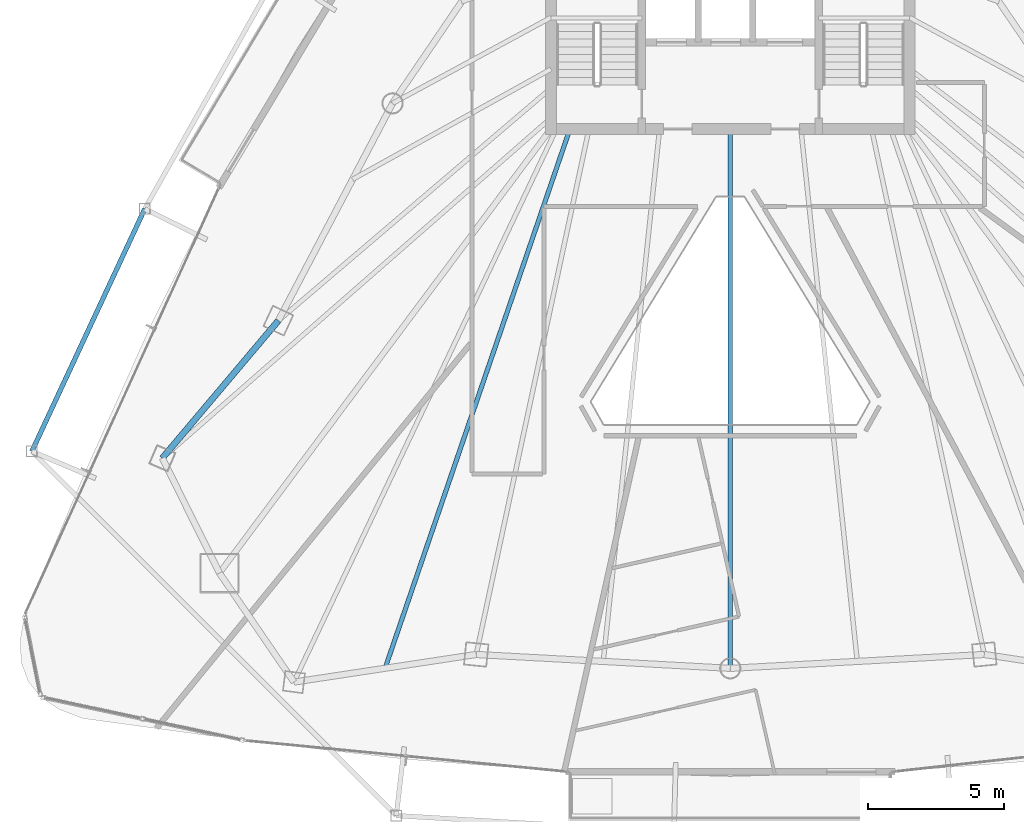
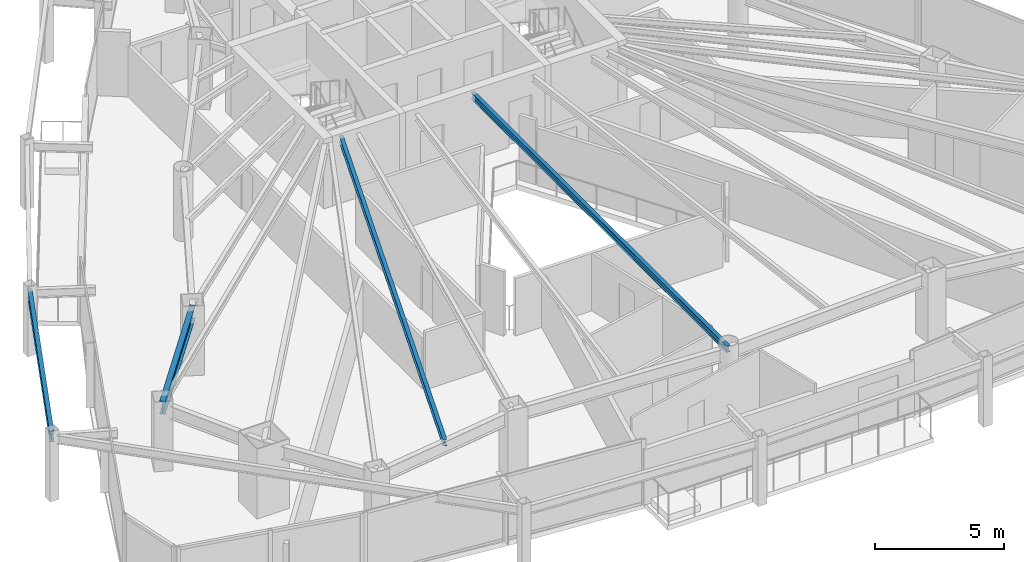
# One storey, part 9 of 33: 4 beams.
"""IFC4 building model written with IfcOpenShell, lengths in metres."""

from ifc_helpers import new_model, si_unit, direction, frame, origin, origin_2d, place, context, subcontext, project, spatial, i_section, extrude, material, material_profile, profile_set, type_object, element, save


model = new_model("IFC4")

# Units and contexts
model_context = context("Model", 3, precision=1e-05, world=origin(), true_north=direction((0.0, 1.0)))
body_context = subcontext(model_context, "Body", "Model", "MODEL_VIEW")
ifc_project = project(units=[si_unit("LENGTHUNIT", "METRE"), si_unit("AREAUNIT", "SQUARE_METRE"), si_unit("VOLUMEUNIT", "CUBIC_METRE"), si_unit("PLANEANGLEUNIT", "RADIAN"), si_unit("MASSUNIT", "GRAM", prefix="KILO")], contexts=[model_context])

# Site, building, storey
site_placement = place(None, origin())
site = spatial("IfcSite", under=ifc_project, at=site_placement, CompositionType="ELEMENT")
building_placement = place(site_placement, origin())
building = spatial("IfcBuilding", under=site, at=building_placement, Name="Orvanel Arch Residences", CompositionType="ELEMENT")
storey_placement = place(building_placement, frame((0.0, 0.0, 116.60009765625)))
storey = spatial("IfcBuildingStorey", under=building, at=storey_placement, Name="L32", CompositionType="ELEMENT", Elevation=116.60009765625)

# Beams
ifc_material = material(Name="Structural steel AS/NZS 3679.1 Grade 300 (300 MPa)", Category="steel")
ifc_material_profile_1 = material_profile(ifc_material, i_section(OverallWidth=0.1650390625, OverallDepth=0.303955078125, WebThickness=0.006103515625, FlangeThickness=0.01025390625, at=origin_2d()), Name="310UB40.4")
ifc_profile_set_1 = profile_set([ifc_material_profile_1], Name="Structural steel AS/NZS 3679.1 Grade 300 (300 MPa)")
beam_type_1 = type_object("IfcBeamType", Name="BJ-310UB", PredefinedType="JOIST", material=ifc_profile_set_1)
beam_1_placement = place(storey_placement, frame((33.0, 26.699951171875, 2.907958984375), z_axis=(0.0, -1.0, 0.0), x_axis=(1.0, 0.0, 0.0)))
element("IfcBeam", 1, at=beam_1_placement, inside=storey, type_object=beam_type_1, Name="L32 SSW Wing Floor Joist", PredefinedType="JOIST", context=body_context, shape_type="SweptSolid", body=[
    extrude(i_section(OverallWidth=0.1650390625, OverallDepth=0.303955078125, WebThickness=0.006103515625, FlangeThickness=0.01025390625, at=origin_2d()), origin(), (0.0, 0.0, 1.0), 19.85595703125),
])
beam_2_placement = place(storey_placement, frame((27.10009765625, 26.699951171875, 2.907958984375), z_axis=(-0.324257108963, -0.945968988544, 0.0), x_axis=(0.945968988544, -0.324257108963, 0.0)))
element("IfcBeam", 2, at=beam_2_placement, inside=storey, type_object=beam_type_1, Name="L32 JADD1 Wing Floor Joist", PredefinedType="JOIST", context=body_context, shape_type="SweptSolid", body=[
    extrude(i_section(OverallWidth=0.1650390625, OverallDepth=0.303955078125, WebThickness=0.006103515625, FlangeThickness=0.01025390625, at=origin_2d()), origin(), (0.0, 0.0, 1.0), 20.987060546875),
])
ifc_material_profile_2 = material_profile(ifc_material, i_section(OverallWidth=0.177978515625, OverallDepth=0.406005859375, WebThickness=0.0078125, FlangeThickness=0.0126953125, at=origin_2d()), Name="410UB59.7")
ifc_profile_set_2 = profile_set([ifc_material_profile_2], Name="Structural steel AS/NZS 3679.1 Grade 300 (300 MPa)")
beam_type_2 = type_object("IfcBeamType", Name="OB-410UB-EXT", PredefinedType="SPANDREL", material=ifc_profile_set_2)
beam_3_placement = place(storey_placement, frame((11.449951171875, 23.757080078125, 2.85693359375), z_axis=(-0.422138837751, -0.906531191776, 0.0), x_axis=(0.906531191776, -0.422138837751, 0.0)))
element("IfcBeam", 3, at=beam_3_placement, inside=storey, type_object=beam_type_2, Name="L32 Outer Perimeter Floor Ring Beam 03", PredefinedType="SPANDREL", context=body_context, shape_type="SweptSolid", body=[
    extrude(i_section(OverallWidth=0.177978515625, OverallDepth=0.406005859375, WebThickness=0.0078125, FlangeThickness=0.0126953125, at=origin_2d()), origin(), (0.0, 0.0, 1.0), 9.847412109375),
])
ifc_material_profile_3 = material_profile(ifc_material, i_section(OverallWidth=0.22900390625, OverallDepth=0.612060546875, WebThickness=0.011962890625, FlangeThickness=0.01953125, at=origin_2d()), Name="610UB125")
ifc_profile_set_3 = profile_set([ifc_material_profile_3], Name="Structural steel AS/NZS 3679.1 Grade 300 (300 MPa)")
beam_type_3 = type_object("IfcBeamType", Name="SP-610UB", PredefinedType="SPANDREL", material=ifc_profile_set_3)
beam_4_placement = place(storey_placement, frame((16.366943359375, 19.64208984375, 2.75390625), z_axis=(-0.644950329775, -0.764224490659, 0.0), x_axis=(0.764224490659, -0.644950329775, 0.0)))
element("IfcBeam", 4, at=beam_4_placement, inside=storey, type_object=beam_type_3, Name="L32 Perimeter Spandrel Beam 01", PredefinedType="SPANDREL", context=body_context, shape_type="SweptSolid", body=[
    extrude(i_section(OverallWidth=0.22900390625, OverallDepth=0.612060546875, WebThickness=0.011962890625, FlangeThickness=0.01953125, at=origin_2d()), origin(), (0.0, 0.0, 1.0), 6.623779296875),
])

save(model, "model.ifc")
